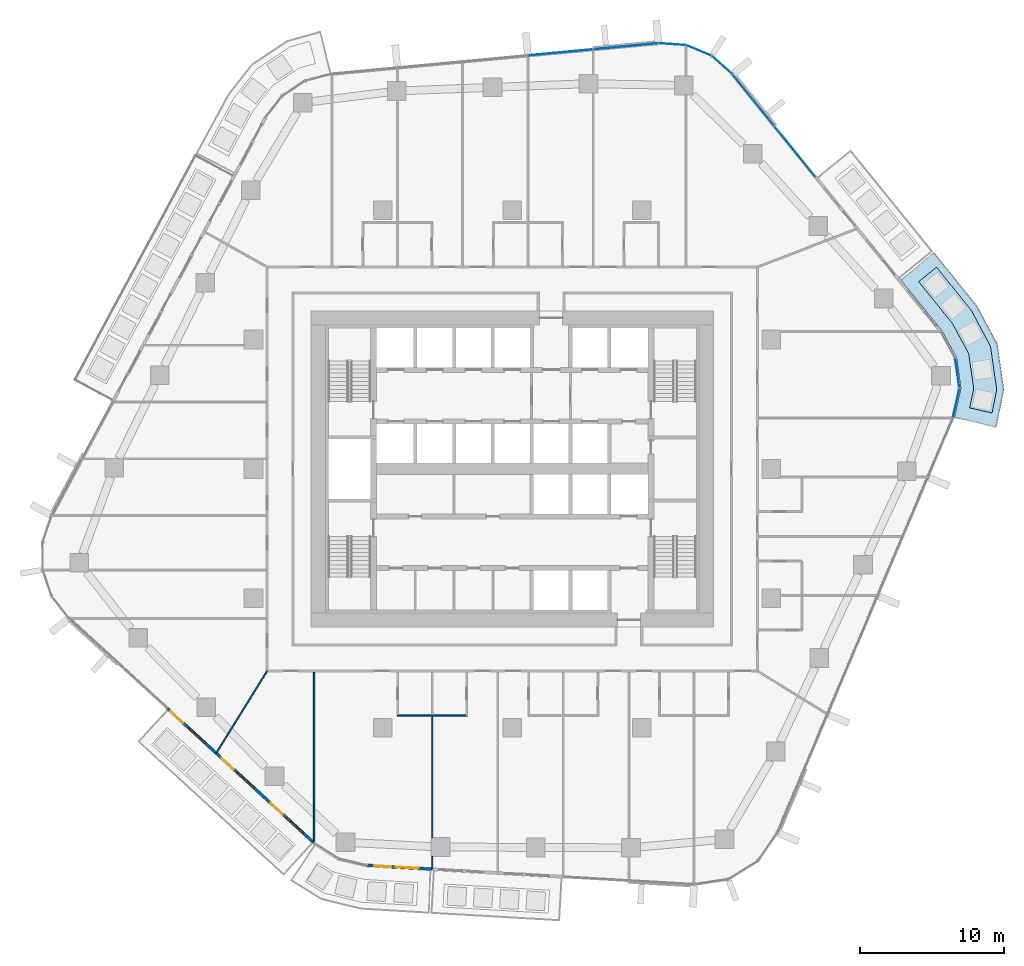
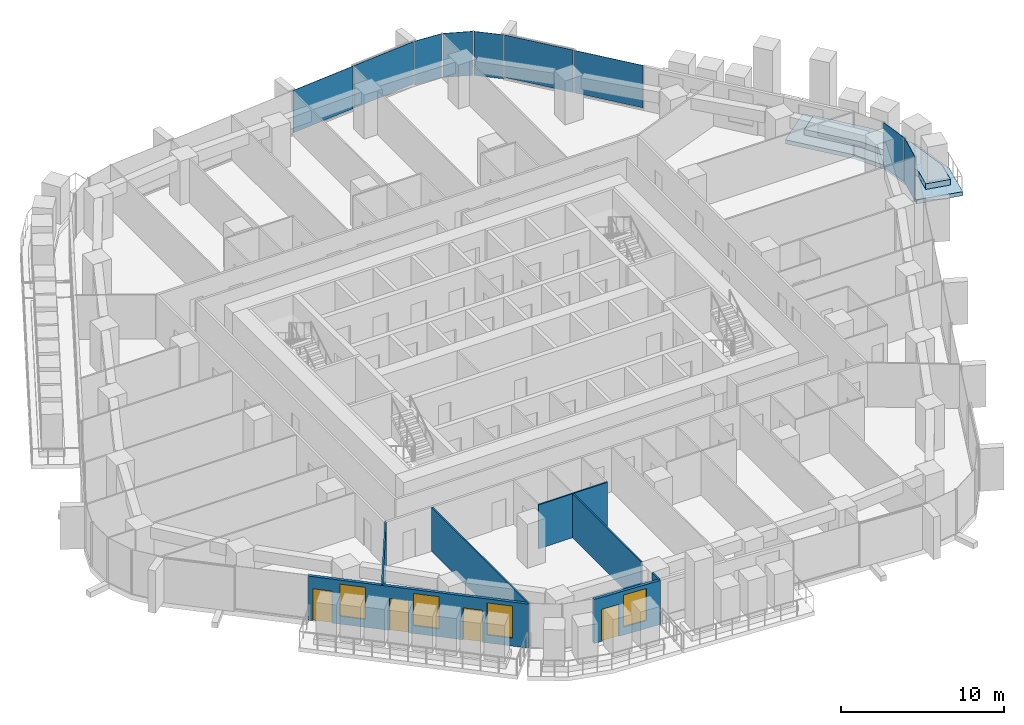
# One storey, part 11 of 24: 9 plates, 7 walls, 4 doors, 4 windows, 2 slabs, 8 openings, 4 elements without a shape of their own.
"""IFC4 building model written with IfcOpenShell, lengths in metres."""

from ifc_helpers import new_model, si_unit, direction, frame, frame_2d, origin, origin_2d, place, context, subcontext, project, spatial, polyline, rectangle, outline, extrude, material, layer, layer_set, type_object, element, fill, aggregate, save


model = new_model("IFC4")

# Units and contexts
model_context = context("Model", 3, precision=1e-05, world=origin(), true_north=direction((0.0, 1.0)))
body_context = subcontext(model_context, "Body", "Model", "MODEL_VIEW")
ifc_project = project(units=[si_unit("LENGTHUNIT", "METRE"), si_unit("AREAUNIT", "SQUARE_METRE"), si_unit("VOLUMEUNIT", "CUBIC_METRE"), si_unit("PLANEANGLEUNIT", "RADIAN"), si_unit("MASSUNIT", "GRAM", prefix="KILO")], contexts=[model_context])

# Site, building, storey
site_placement = place(None, origin())
site = spatial("IfcSite", under=ifc_project, at=site_placement, CompositionType="ELEMENT")
building_placement = place(site_placement, origin())
building = spatial("IfcBuilding", under=site, at=building_placement, Name="Dongbaek Canopy Tower", CompositionType="ELEMENT")
storey_placement = place(building_placement, frame((0.0, 0.0, 124.800048828125)))
storey = spatial("IfcBuildingStorey", under=building, at=storey_placement, Name="L27", CompositionType="ELEMENT", Elevation=124.800048828125)

# Slab
ifc_material_1 = material(Name="Concrete C40/50", Category="concrete")
ifc_layer_1 = layer(ifc_material_1, 0.300048828125)
ifc_layer_set_1 = layer_set([ifc_layer_1], Name="Balcony slab 300")
slab_type_1 = type_object("IfcSlabType", Name="Balcony slab 300", PredefinedType="FLOOR", material=ifc_layer_set_1)
slab_1_placement = place(storey_placement, frame((0.0, 0.0, -0.300048828125)))
element("IfcSlab", 1, at=slab_1_placement, inside=storey, type_object=slab_type_1, Name="Balcony L27 5", PredefinedType="FLOOR", context=body_context, shape_type="SweptSolid", body=[
    extrude(outline(polyline([(30.740234375, 3.56298828125), (31.19873046875, 5.612548828125), (30.898193359375, 7.741455078125), (29.866455078125, 9.6279296875), (27.00146484375, 13.166015625), (29.3330078125, 15.053955078125), (32.3583984375, 11.29833984375), (33.74560546875, 8.686279296875), (34.1962890625, 5.49267578125), (33.667724609375, 2.907958984375), (30.740234375, 3.56298828125)])), origin(), (0.0, 0.0, 1.0), 0.300048828125),
])

# Curtain wall, plates
ifc_material_2 = material(Name="Aluminium 6063-T6 pale anodised", Category="aluminium")
ifc_layer_2 = layer(ifc_material_2, 0.199951171875)
ifc_layer_set_2 = layer_set([ifc_layer_2], Name="CW-1 unitised tower curtain wall")
curtain_wall_type = type_object("IfcCurtainWallType", Name="CW-1 unitised tower curtain wall", PredefinedType="NOTDEFINED", material=ifc_layer_set_2)
curtain_wall_1_placement = place(storey_placement, origin())
curtain_wall_1 = element("IfcCurtainWall", 2, at=curtain_wall_1_placement, inside=storey, type_object=curtain_wall_type, Name="CW-1 curtain wall K0.1", PredefinedType="NOTDEFINED")
ifc_material_3 = material(Name="Clear laminated glass", Category="glass")
ifc_layer_3 = layer(ifc_material_3, 0.028076171875)
ifc_layer_set_3 = layer_set([ifc_layer_3], Name="CW-1 glazed panel 28")
plate_type = type_object("IfcPlateType", Name="CW-1 glazed panel 28", PredefinedType="CURTAIN_PANEL", material=ifc_layer_set_3)
plate_1_placement = place(storey_placement, frame((30.865478515625, 4.58056640625, 0.0), z_axis=(0.0, 0.0, 1.0), x_axis=(0.218338762206, 0.975873037295, 0.0)))
plate_1 = element("IfcPlate", 3, at=plate_1_placement, type_object=plate_type, Name="CW-1 panel K0.1.1.1", PredefinedType="CURTAIN_PANEL", context=body_context, shape_type="SweptSolid", body=[
    extrude(rectangle(XDim=2.038818359375, YDim=0.028076171875, at=origin_2d()), origin(), (0.0, 0.0, 1.0), 3.300048828125),
])
plate_2_placement = place(storey_placement, frame((30.949462890625, 6.6630859375, 0.0), z_axis=(0.0, 0.0, 1.0), x_axis=(-0.139735909712, 0.990188808024, 0.0)))
plate_2 = element("IfcPlate", 4, at=plate_2_placement, type_object=plate_type, Name="CW-1 panel K0.1.2.1", PredefinedType="CURTAIN_PANEL", context=body_context, shape_type="SweptSolid", body=[
    extrude(rectangle(XDim=2.02978515625, YDim=0.028076171875, at=origin_2d()), origin(), (0.0, 0.0, 1.0), 3.300048828125),
])
aggregate(curtain_wall_1, [plate_1, plate_2])

curtain_wall_2_placement = place(storey_placement, origin())
curtain_wall_2 = element("IfcCurtainWall", 5, at=curtain_wall_2_placement, inside=storey, type_object=curtain_wall_type, Name="CW-1 curtain wall F0.1", PredefinedType="NOTDEFINED")
plate_3_placement = place(storey_placement, frame((19.6513671875, 22.084228515625, 0.1201171875), z_axis=(0.0, 0.0, 1.0), x_axis=(-0.629301818982, 0.777161000453, 0.0)))
plate_3 = element("IfcPlate", 6, at=plate_3_placement, type_object=plate_type, Name="CW-1 panel F0.1.1.1", PredefinedType="CURTAIN_PANEL", context=body_context, shape_type="SweptSolid", body=[
    extrude(rectangle(XDim=4.5185546875, YDim=0.028076171875, at=origin_2d()), origin(), (0.0, 0.0, 1.0), 3.179931640625),
])
plate_4_placement = place(storey_placement, frame((16.757568359375, 25.657958984375, 0.1201171875), z_axis=(0.0, 0.0, 1.0), x_axis=(-0.629301818982, 0.777161000453, 0.0)))
plate_4 = element("IfcPlate", 7, at=plate_4_placement, type_object=plate_type, Name="CW-1 panel F0.1.2.1", PredefinedType="CURTAIN_PANEL", context=body_context, shape_type="SweptSolid", body=[
    extrude(rectangle(XDim=4.51025390625, YDim=0.028076171875, at=origin_2d()), origin(), (0.0, 0.0, 1.0), 3.179931640625),
])
aggregate(curtain_wall_2, [plate_3, plate_4])

curtain_wall_3_placement = place(storey_placement, origin())
curtain_wall_3 = element("IfcCurtainWall", 8, at=curtain_wall_3_placement, inside=storey, type_object=curtain_wall_type, Name="CW-1 curtain wall K1.1", PredefinedType="NOTDEFINED")
plate_5_placement = place(storey_placement, frame((14.589111328125, 28.085205078125, 0.0), z_axis=(0.0, 0.0, 1.0), x_axis=(-0.747705892766, 0.664030042937, 0.0)))
plate_5 = element("IfcPlate", 9, at=plate_5_placement, type_object=plate_type, Name="CW-1 panel K1.1.1.1", PredefinedType="CURTAIN_PANEL", context=body_context, shape_type="SweptSolid", body=[
    extrude(rectangle(XDim=1.849853515625, YDim=0.028076171875, at=origin_2d()), origin(), (0.0, 0.0, 1.0), 3.300048828125),
])
plate_6_placement = place(storey_placement, frame((12.978759765625, 29.1005859375, 0.0), z_axis=(0.0, 0.0, 1.0), x_axis=(-0.921720182996, 0.387855519823, 0.0)))
plate_6 = element("IfcPlate", 10, at=plate_6_placement, type_object=plate_type, Name="CW-1 panel K1.1.2.1", PredefinedType="CURTAIN_PANEL", context=body_context, shape_type="SweptSolid", body=[
    extrude(rectangle(XDim=1.841552734375, YDim=0.028076171875, at=origin_2d()), origin(), (0.0, 0.0, 1.0), 3.300048828125),
])
plate_7_placement = place(storey_placement, frame((11.126708984375, 29.542236328125, 0.0), z_axis=(0.0, 0.0, 1.0), x_axis=(-0.997522108794, 0.070353695471, 0.0)))
plate_7 = element("IfcPlate", 11, at=plate_7_placement, type_object=plate_type, Name="CW-1 panel K1.1.3.1", PredefinedType="CURTAIN_PANEL", context=body_context, shape_type="SweptSolid", body=[
    extrude(rectangle(XDim=1.849853515625, YDim=0.028076171875, at=origin_2d()), origin(), (0.0, 0.0, 1.0), 3.300048828125),
])
aggregate(curtain_wall_3, [plate_5, plate_6, plate_7])

curtain_wall_4_placement = place(storey_placement, origin())
curtain_wall_4 = element("IfcCurtainWall", 12, at=curtain_wall_4_placement, inside=storey, type_object=curtain_wall_type, Name="CW-1 curtain wall F1.1", PredefinedType="NOTDEFINED")
plate_8_placement = place(storey_placement, frame((7.8955078125, 29.3974609375, 0.1201171875), z_axis=(0.0, 0.0, 1.0), x_axis=(-0.995628871634, -0.093397804951, 0.0)))
plate_8 = element("IfcPlate", 13, at=plate_8_placement, type_object=plate_type, Name="CW-1 panel F1.1.1.1", PredefinedType="CURTAIN_PANEL", context=body_context, shape_type="SweptSolid", body=[
    extrude(rectangle(XDim=4.469482421875, YDim=0.028076171875, at=origin_2d()), origin(), (0.0, 0.0, 1.0), 3.179931640625),
])
plate_9_placement = place(storey_placement, frame((3.35791015625, 28.971923828125, 0.1201171875), z_axis=(0.0, 0.0, 1.0), x_axis=(-0.995628871634, -0.093397804951, 0.0)))
plate_9 = element("IfcPlate", 14, at=plate_9_placement, type_object=plate_type, Name="CW-1 panel F1.1.2.1", PredefinedType="CURTAIN_PANEL", context=body_context, shape_type="SweptSolid", body=[
    extrude(rectangle(XDim=4.477783203125, YDim=0.028076171875, at=origin_2d()), origin(), (0.0, 0.0, 1.0), 3.179931640625),
])
aggregate(curtain_wall_4, [plate_8, plate_9])

# Slab
ifc_material_4 = material(Name="Reinforced concrete C40/50 planter box with soil", Category="concrete")
ifc_layer_4 = layer(ifc_material_4, 0.419921875)
ifc_layer_set_4 = layer_set([ifc_layer_4], Name="Terrace planter box 1600 x 420")
slab_type_2 = type_object("IfcSlabType", Name="Terrace planter box 1600 x 420", PredefinedType="USERDEFINED", material=ifc_layer_set_4)
slab_2_placement = place(storey_placement, origin())
element("IfcSlab", 15, at=slab_2_placement, inside=storey, type_object=slab_type_2, Name="Balcony planter L27 5", ObjectType="PLANTER", PredefinedType="USERDEFINED", context=body_context, shape_type="SweptSolid", body=[
    extrude(outline(polyline([(31.80517578125, 4.246826171875), (32.087890625, 5.576904296875), (31.742919921875, 8.021728515625), (30.605712890625, 10.12353515625), (28.259521484375, 13.026611328125), (29.5029296875, 14.033447265625), (31.934814453125, 11.014404296875), (33.261474609375, 8.525634765625), (33.686767578125, 5.512939453125), (33.36669921875, 3.8974609375), (31.80517578125, 4.246826171875)])), origin(), (0.0, 0.0, 1.0), 0.419921875),
])

# Walls
ifc_material_5 = material(Name="Gypsum board partition, steel stud, 2 x 12.5 mm board", Category="steel")
ifc_layer_5 = layer(ifc_material_5, 0.10009765625)
ifc_layer_set_5 = layer_set([ifc_layer_5], Name="Partition 100 gypsum board")
wall_type_1 = type_object("IfcWallType", Name="Partition 100 gypsum board", PredefinedType="PARTITIONING", material=ifc_layer_set_5)
wall_1_placement = place(storey_placement, frame((-8.01708984375, -17.14990234375, 0.0), z_axis=(0.0, 0.0, 1.0), x_axis=(1.0, 0.0, 0.0)))
element("IfcWall", 16, at=wall_1_placement, inside=storey, type_object=wall_type_1, Name="Partition", PredefinedType="PARTITIONING", context=body_context, shape_type="SweptSolid", body=[
    extrude(rectangle(XDim=4.89990234375, YDim=0.10009765625, at=frame_2d((2.449951171875, 0.0))), origin(), (0.0, 0.0, 1.0), 3.300048828125),
])
wall_2_placement = place(storey_placement, frame((-20.585205078125, -19.74658203125, 0.0), z_axis=(0.0, 0.0, 1.0), x_axis=(0.527253174698, 0.849708238027, 0.0)))
element("IfcWall", 17, at=wall_2_placement, inside=storey, type_object=wall_type_1, Name="Partition", PredefinedType="PARTITIONING", context=body_context, shape_type="SweptSolid", body=[
    extrude(rectangle(XDim=6.704345703125, YDim=0.10009765625, at=frame_2d((3.35205078125, 0.0))), origin(), (0.0, 0.0, 1.0), 3.300048828125),
])
wall_3_placement = place(storey_placement, frame((-5.56689453125, -27.810546875, 0.0), z_axis=(0.0, 0.0, 1.0), x_axis=(0.0, 1.0, 0.0)))
element("IfcWall", 18, at=wall_3_placement, inside=storey, type_object=wall_type_1, Name="Partition", PredefinedType="PARTITIONING", context=body_context, shape_type="SweptSolid", body=[
    extrude(rectangle(XDim=0.87060546875, YDim=0.10009765625, at=frame_2d((0.435302734375, 0.0))), origin(), (0.0, 0.0, 1.0), 3.300048828125),
])
wall_4_placement = place(storey_placement, frame((-5.56689453125, -25.639892578125, 0.0), z_axis=(0.0, 0.0, 1.0), x_axis=(0.0, 1.0, 0.0)))
element("IfcWall", 19, at=wall_4_placement, inside=storey, type_object=wall_type_1, Name="Partition", PredefinedType="PARTITIONING", context=body_context, shape_type="SweptSolid", body=[
    extrude(rectangle(XDim=8.43994140625, YDim=0.10009765625, at=frame_2d((4.219970703125, 0.0))), origin(), (0.0, 0.0, 1.0), 3.300048828125),
])
wall_5_placement = place(storey_placement, frame((-13.777099609375, -25.99169921875, 0.0), z_axis=(0.0, 0.0, 1.0), x_axis=(0.0, 1.0, 0.0)))
element("IfcWall", 20, at=wall_5_placement, inside=storey, type_object=wall_type_1, Name="Partition", PredefinedType="PARTITIONING", context=body_context, shape_type="SweptSolid", body=[
    extrude(rectangle(XDim=11.86669921875, YDim=0.10009765625, at=frame_2d((5.933349609375, 0.0))), origin(), (0.0, 0.0, 1.0), 3.300048828125),
])

# Wall, openings, doors, windows
ifc_material_6 = material(Name="Aluminium window wall", Category="aluminium")
ifc_layer_6 = layer(ifc_material_6, 0.199951171875)
ifc_layer_set_6 = layer_set([ifc_layer_6], Name="Window wall 200")
wall_type_2 = type_object("IfcWallType", Name="Window wall 200", PredefinedType="SOLIDWALL", material=ifc_layer_set_6)
wall_6_placement = place(storey_placement, frame((-24.005615234375, -16.63623046875, 0.0), z_axis=(0.0, 0.0, 1.0), x_axis=(0.736923378069, -0.675976282761, 0.0)))
wall_6 = element("IfcWall", 21, at=wall_6_placement, inside=storey, type_object=wall_type_2, Name="Window wall L27 3", PredefinedType="SOLIDWALL", context=body_context, shape_type="SweptSolid", body=[
    extrude(rectangle(XDim=13.880126953125, YDim=0.199951171875, at=frame_2d((6.93994140625, 0.0))), origin(), (0.0, 0.0, 1.0), 3.300048828125),
])
opening_1_placement = place(wall_6_placement, frame((2.0, 0.0, 0.60009765625)))
opening_1 = element("IfcOpeningElement", 22, at=opening_1_placement, cuts=wall_6, Name="Opening W1", PredefinedType="OPENING", context=body_context, shape_type="SweptSolid", body=[
    extrude(rectangle(XDim=1.60009765625, YDim=2.39990234375, at=frame_2d((0.800048828125, 1.199951171875))), frame((0.0, 0.10986328125, 0.0), z_axis=(0.0, -1.0, 0.0), x_axis=(1.0, 0.0, 0.0)), (0.0, 0.0, 1.0), 0.219970703125),
])
opening_2_placement = place(wall_6_placement, frame((0.300048828125, 0.0, 0.0)))
opening_2 = element("IfcOpeningElement", 23, at=opening_2_placement, cuts=wall_6, Name="Opening L27-B09", PredefinedType="OPENING", context=body_context, shape_type="SweptSolid", body=[
    extrude(rectangle(XDim=1.199951171875, YDim=2.39990234375, at=frame_2d((0.60009765625, 1.199951171875))), frame((0.0, 0.10986328125, 0.0), z_axis=(0.0, -1.0, 0.0), x_axis=(1.0, 0.0, 0.0)), (0.0, 0.0, 1.0), 0.219970703125),
])
opening_3_placement = place(wall_6_placement, frame((6.626708984375, 0.0, 0.60009765625)))
opening_3 = element("IfcOpeningElement", 24, at=opening_3_placement, cuts=wall_6, Name="Opening W1", PredefinedType="OPENING", context=body_context, shape_type="SweptSolid", body=[
    extrude(rectangle(XDim=1.60009765625, YDim=2.39990234375, at=frame_2d((0.800048828125, 1.199951171875))), frame((0.0, 0.10986328125, 0.0), z_axis=(0.0, -1.0, 0.0), x_axis=(1.0, 0.0, 0.0)), (0.0, 0.0, 1.0), 0.219970703125),
])
opening_4_placement = place(wall_6_placement, frame((5.126708984375, 0.0, 0.0)))
opening_4 = element("IfcOpeningElement", 25, at=opening_4_placement, cuts=wall_6, Name="Opening L27-B10", PredefinedType="OPENING", context=body_context, shape_type="SweptSolid", body=[
    extrude(rectangle(XDim=1.199951171875, YDim=2.39990234375, at=frame_2d((0.60009765625, 1.199951171875))), frame((0.0, 0.10986328125, 0.0), z_axis=(0.0, -1.0, 0.0), x_axis=(1.0, 0.0, 0.0)), (0.0, 0.0, 1.0), 0.219970703125),
])
opening_5_placement = place(wall_6_placement, frame((11.25341796875, 0.0, 0.60009765625)))
opening_5 = element("IfcOpeningElement", 26, at=opening_5_placement, cuts=wall_6, Name="Opening W1", PredefinedType="OPENING", context=body_context, shape_type="SweptSolid", body=[
    extrude(rectangle(XDim=1.60009765625, YDim=2.39990234375, at=frame_2d((0.800048828125, 1.199951171875))), frame((0.0, 0.10986328125, 0.0), z_axis=(0.0, -1.0, 0.0), x_axis=(1.0, 0.0, 0.0)), (0.0, 0.0, 1.0), 0.219970703125),
])
opening_6_placement = place(wall_6_placement, frame((9.75341796875, 0.0, 0.0)))
opening_6 = element("IfcOpeningElement", 27, at=opening_6_placement, cuts=wall_6, Name="Opening L27-B11", PredefinedType="OPENING", context=body_context, shape_type="SweptSolid", body=[
    extrude(rectangle(XDim=1.199951171875, YDim=2.39990234375, at=frame_2d((0.60009765625, 1.199951171875))), frame((0.0, 0.10986328125, 0.0), z_axis=(0.0, -1.0, 0.0), x_axis=(1.0, 0.0, 0.0)), (0.0, 0.0, 1.0), 0.219970703125),
])
ifc_material_7 = material(Name="Clear glazing in aluminium frame", Category="aluminium")
door_type = type_object("IfcDoorType", Name="Balcony door BD1 1200 x 2400", OperationType="SLIDING_TO_LEFT", PredefinedType="DOOR", material=ifc_material_7)
door_1_placement = place(opening_2_placement, origin())
door_1 = element("IfcDoor", 28, at=door_1_placement, inside=storey, type_object=door_type, Name="Balcony door L27-B09", OperationType="SLIDING_TO_LEFT", OverallHeight=2.39990234375, OverallWidth=1.199951171875, PredefinedType="DOOR", context=body_context, shape_type="SweptSolid", body=[
    extrude(rectangle(XDim=1.199951171875, YDim=2.39990234375, at=frame_2d((0.60009765625, 1.199951171875))), frame((0.0, 0.02490234375, 0.0), z_axis=(0.0, -1.0, 0.0), x_axis=(1.0, 0.0, 0.0)), (0.0, 0.0, 1.0), 0.050048828125),
])
fill(opening_2, door_1)
door_2_placement = place(opening_4_placement, origin())
door_2 = element("IfcDoor", 29, at=door_2_placement, inside=storey, type_object=door_type, Name="Balcony door L27-B10", OperationType="SLIDING_TO_LEFT", OverallHeight=2.39990234375, OverallWidth=1.199951171875, PredefinedType="DOOR", context=body_context, shape_type="SweptSolid", body=[
    extrude(rectangle(XDim=1.199951171875, YDim=2.39990234375, at=frame_2d((0.60009765625, 1.199951171875))), frame((0.0, 0.02490234375, 0.0), z_axis=(0.0, -1.0, 0.0), x_axis=(1.0, 0.0, 0.0)), (0.0, 0.0, 1.0), 0.050048828125),
])
fill(opening_4, door_2)
door_3_placement = place(opening_6_placement, origin())
door_3 = element("IfcDoor", 30, at=door_3_placement, inside=storey, type_object=door_type, Name="Balcony door L27-B11", OperationType="SLIDING_TO_LEFT", OverallHeight=2.39990234375, OverallWidth=1.199951171875, PredefinedType="DOOR", context=body_context, shape_type="SweptSolid", body=[
    extrude(rectangle(XDim=1.199951171875, YDim=2.39990234375, at=frame_2d((0.60009765625, 1.199951171875))), frame((0.0, 0.02490234375, 0.0), z_axis=(0.0, -1.0, 0.0), x_axis=(1.0, 0.0, 0.0)), (0.0, 0.0, 1.0), 0.050048828125),
])
fill(opening_6, door_3)
ifc_material_8 = material(Name="Clear glazing in aluminium frame", Category="aluminium")
window_type = type_object("IfcWindowType", Name="Window W1 1600 x 2400", PartitioningType="SINGLE_PANEL", PredefinedType="WINDOW", material=ifc_material_8)
window_1_placement = place(opening_1_placement, origin())
window_1 = element("IfcWindow", 31, at=window_1_placement, inside=storey, type_object=window_type, Name="Window L27 3.1", OverallHeight=2.39990234375, OverallWidth=1.60009765625, PartitioningType="SINGLE_PANEL", PredefinedType="WINDOW", context=body_context, shape_type="SweptSolid", body=[
    extrude(rectangle(XDim=1.60009765625, YDim=2.39990234375, at=frame_2d((0.800048828125, 1.199951171875))), frame((0.0, 0.030029296875, 0.0), z_axis=(0.0, -1.0, 0.0), x_axis=(1.0, 0.0, 0.0)), (0.0, 0.0, 1.0), 0.06005859375),
])
fill(opening_1, window_1)
window_2_placement = place(opening_3_placement, origin())
window_2 = element("IfcWindow", 32, at=window_2_placement, inside=storey, type_object=window_type, Name="Window L27 3.2", OverallHeight=2.39990234375, OverallWidth=1.60009765625, PartitioningType="SINGLE_PANEL", PredefinedType="WINDOW", context=body_context, shape_type="SweptSolid", body=[
    extrude(rectangle(XDim=1.60009765625, YDim=2.39990234375, at=frame_2d((0.800048828125, 1.199951171875))), frame((0.0, 0.030029296875, 0.0), z_axis=(0.0, -1.0, 0.0), x_axis=(1.0, 0.0, 0.0)), (0.0, 0.0, 1.0), 0.06005859375),
])
fill(opening_3, window_2)
window_3_placement = place(opening_5_placement, origin())
window_3 = element("IfcWindow", 33, at=window_3_placement, inside=storey, type_object=window_type, Name="Window L27 3.3", OverallHeight=2.39990234375, OverallWidth=1.60009765625, PartitioningType="SINGLE_PANEL", PredefinedType="WINDOW", context=body_context, shape_type="SweptSolid", body=[
    extrude(rectangle(XDim=1.60009765625, YDim=2.39990234375, at=frame_2d((0.800048828125, 1.199951171875))), frame((0.0, 0.030029296875, 0.0), z_axis=(0.0, -1.0, 0.0), x_axis=(1.0, 0.0, 0.0)), (0.0, 0.0, 1.0), 0.06005859375),
])
fill(opening_5, window_3)

# Wall, openings, door, window
wall_7_placement = place(storey_placement, frame((-10.11474609375, -27.567626953125, 0.0), z_axis=(0.0, 0.0, 1.0), x_axis=(0.998332643992, -0.057722889224, 0.0)))
wall_7 = element("IfcWall", 34, at=wall_7_placement, inside=storey, type_object=wall_type_2, Name="Window wall L27 7", PredefinedType="SOLIDWALL", context=body_context, shape_type="SweptSolid", body=[
    extrude(rectangle(XDim=4.55517578125, YDim=0.199951171875, at=frame_2d((2.277587890625, 0.0))), origin(), (0.0, 0.0, 1.0), 3.300048828125),
])
opening_7_placement = place(wall_7_placement, frame((2.0, 0.0, 0.60009765625)))
opening_7 = element("IfcOpeningElement", 35, at=opening_7_placement, cuts=wall_7, Name="Opening W1", PredefinedType="OPENING", context=body_context, shape_type="SweptSolid", body=[
    extrude(rectangle(XDim=1.60009765625, YDim=2.39990234375, at=frame_2d((0.800048828125, 1.199951171875))), frame((0.0, 0.10986328125, 0.0), z_axis=(0.0, -1.0, 0.0), x_axis=(1.0, 0.0, 0.0)), (0.0, 0.0, 1.0), 0.219970703125),
])
opening_8_placement = place(wall_7_placement, frame((0.5, 0.0, 0.0)))
opening_8 = element("IfcOpeningElement", 36, at=opening_8_placement, cuts=wall_7, Name="Opening L27-B14", PredefinedType="OPENING", context=body_context, shape_type="SweptSolid", body=[
    extrude(rectangle(XDim=1.199951171875, YDim=2.39990234375, at=frame_2d((0.60009765625, 1.199951171875))), frame((0.0, 0.10986328125, 0.0), z_axis=(0.0, -1.0, 0.0), x_axis=(1.0, 0.0, 0.0)), (0.0, 0.0, 1.0), 0.219970703125),
])
door_4_placement = place(opening_8_placement, origin())
door_4 = element("IfcDoor", 37, at=door_4_placement, inside=storey, type_object=door_type, Name="Balcony door L27-B14", OperationType="SLIDING_TO_LEFT", OverallHeight=2.39990234375, OverallWidth=1.199951171875, PredefinedType="DOOR", context=body_context, shape_type="SweptSolid", body=[
    extrude(rectangle(XDim=1.199951171875, YDim=2.39990234375, at=frame_2d((0.60009765625, 1.199951171875))), frame((0.0, 0.02490234375, 0.0), z_axis=(0.0, -1.0, 0.0), x_axis=(1.0, 0.0, 0.0)), (0.0, 0.0, 1.0), 0.050048828125),
])
fill(opening_8, door_4)
window_4_placement = place(opening_7_placement, origin())
window_4 = element("IfcWindow", 38, at=window_4_placement, inside=storey, type_object=window_type, Name="Window L27 7.1", OverallHeight=2.39990234375, OverallWidth=1.60009765625, PartitioningType="SINGLE_PANEL", PredefinedType="WINDOW", context=body_context, shape_type="SweptSolid", body=[
    extrude(rectangle(XDim=1.60009765625, YDim=2.39990234375, at=frame_2d((0.800048828125, 1.199951171875))), frame((0.0, 0.030029296875, 0.0), z_axis=(0.0, -1.0, 0.0), x_axis=(1.0, 0.0, 0.0)), (0.0, 0.0, 1.0), 0.06005859375),
])
fill(opening_7, window_4)

save(model, "model.ifc")
